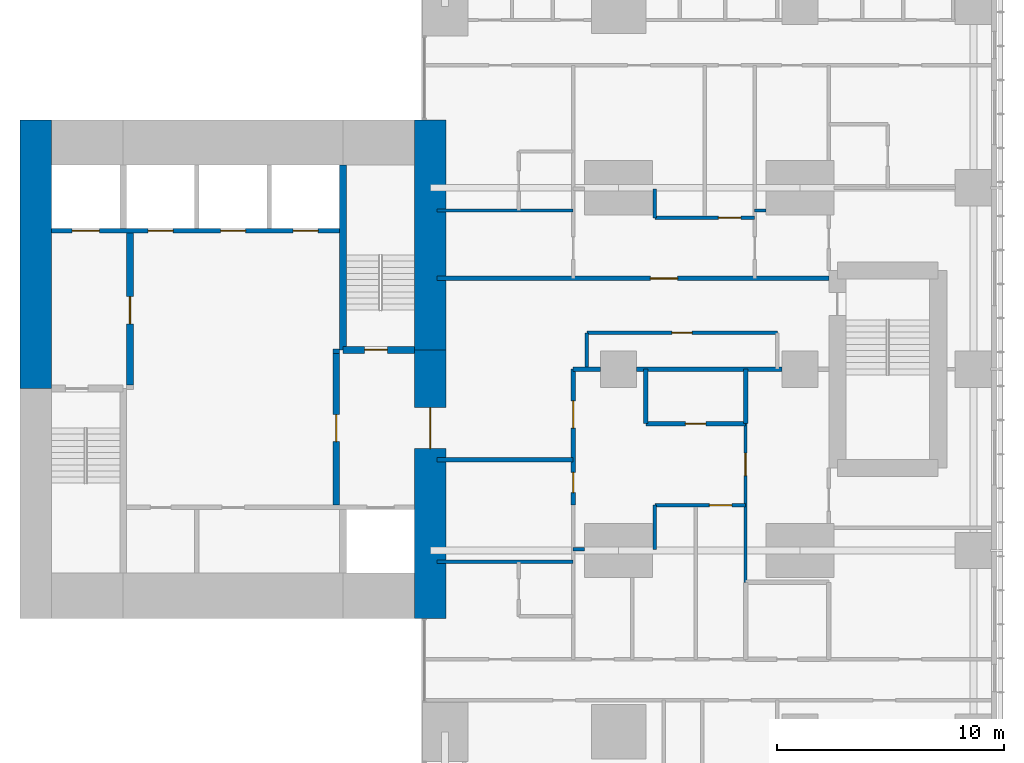
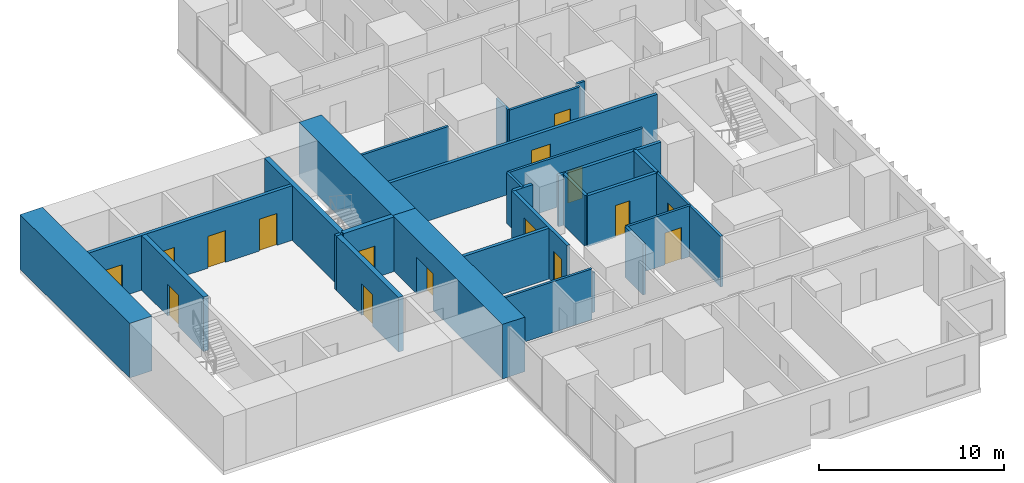
# One storey, part 8 of 12: 28 walls, 16 doors, 16 openings.
"""IFC4 building model written with IfcOpenShell, lengths in metres."""

from ifc_helpers import new_model, si_unit, direction, frame, frame_2d, origin, place, context, subcontext, project, spatial, rectangle, extrude, material, layer, layer_set, type_object, element, fill, save


model = new_model("IFC4")

# Units and contexts
model_context = context("Model", 3, precision=1e-05, world=origin(), true_north=direction((0.0, 1.0)))
body_context = subcontext(model_context, "Body", "Model", "MODEL_VIEW")
ifc_project = project(units=[si_unit("LENGTHUNIT", "METRE"), si_unit("AREAUNIT", "SQUARE_METRE"), si_unit("VOLUMEUNIT", "CUBIC_METRE"), si_unit("PLANEANGLEUNIT", "RADIAN"), si_unit("MASSUNIT", "GRAM", prefix="KILO")], contexts=[model_context])

# Site, building, storey
site_placement = place(None, origin())
site = spatial("IfcSite", under=ifc_project, at=site_placement, CompositionType="ELEMENT")
building_placement = place(site_placement, origin())
building = spatial("IfcBuilding", under=site, at=building_placement, Name="Cleftline Residences", CompositionType="ELEMENT")
storey_placement = place(building_placement, frame((0.0, 0.0, 252.0)))
storey = spatial("IfcBuildingStorey", under=building, at=storey_placement, Name="L66", CompositionType="ELEMENT", Elevation=252.0)

# Wall
ifc_material_1 = material(Name="Concrete B70", Category="concrete")
ifc_layer_1 = layer(ifc_material_1, 1.39990234375)
ifc_layer_set_1 = layer_set([ifc_layer_1], Name="CORE WALL 1400")
wall_type_1 = type_object("IfcWallType", Name="CORE WALL 1400", PredefinedType="SHEAR", material=ifc_layer_set_1)
wall_1_placement = place(storey_placement, frame((24.300048828125, 23.14990234375, 0.0), z_axis=(0.0, 0.0, 1.0), x_axis=(0.0, 1.0, 0.0)))
element("IfcWall", 1, at=wall_1_placement, inside=storey, type_object=wall_type_1, Name="Core wall W", PredefinedType="SHEAR", context=body_context, shape_type="SweptSolid", body=[
    extrude(rectangle(XDim=11.85009765625, YDim=1.39990234375, at=frame_2d((5.925048828125, 0.0))), origin(), (0.0, 0.0, 1.0), 3.60009765625),
])

# Wall, opening, door
wall_2_placement = place(storey_placement, frame((41.699951171875, 13.0, 0.0), z_axis=(0.0, 0.0, 1.0), x_axis=(0.0, 1.0, 0.0)))
wall_2 = element("IfcWall", 2, at=wall_2_placement, inside=storey, type_object=wall_type_1, Name="Core wall E", PredefinedType="SHEAR", context=body_context, shape_type="SweptSolid", body=[
    extrude(rectangle(XDim=11.85009765625, YDim=1.39990234375, at=frame_2d((5.925048828125, 0.0))), origin(), (0.0, 0.0, 1.0), 3.60009765625),
])
opening_1_placement = place(wall_2_placement, frame((7.5, 0.0, 0.0)))
opening_1 = element("IfcOpeningElement", 3, at=opening_1_placement, cuts=wall_2, Name="Opening D7", PredefinedType="OPENING", context=body_context, shape_type="SweptSolid", body=[
    extrude(rectangle(XDim=1.800048828125, YDim=2.39990234375, at=frame_2d((0.89990234375, 1.199951171875))), frame((0.0, 0.7099609375, 0.0), z_axis=(0.0, -1.0, 0.0), x_axis=(1.0, 0.0, 0.0)), (0.0, 0.0, 1.0), 1.419921875),
])
ifc_material_2 = material(Name="Steel", Category="steel")
door_type_1 = type_object("IfcDoorType", Name="WING DOOR 1800X2400", OperationType="DOUBLE_DOOR_DOUBLE_SWING", PredefinedType="DOOR", material=ifc_material_2)
door_1_placement = place(opening_1_placement, origin())
door_1 = element("IfcDoor", 4, at=door_1_placement, inside=storey, type_object=door_type_1, Name="East wing door", OperationType="DOUBLE_DOOR_DOUBLE_SWING", OverallHeight=2.39990234375, OverallWidth=1.800048828125, PredefinedType="DOOR", context=body_context, shape_type="SweptSolid", body=[
    extrude(rectangle(XDim=1.800048828125, YDim=2.39990234375, at=frame_2d((0.89990234375, 1.199951171875))), frame((0.0, 0.02490234375, 0.0), z_axis=(0.0, -1.0, 0.0), x_axis=(1.0, 0.0, 0.0)), (0.0, 0.0, 1.0), 0.050048828125),
])
fill(opening_1, door_1)

# Walls
wall_3_placement = place(storey_placement, frame((41.699951171875, 24.85009765625, 0.0), z_axis=(0.0, 0.0, 1.0), x_axis=(0.0, 1.0, 0.0)))
element("IfcWall", 5, at=wall_3_placement, inside=storey, type_object=wall_type_1, Name="Core wall E1", PredefinedType="SHEAR", context=body_context, shape_type="SweptSolid", body=[
    extrude(rectangle(XDim=10.14990234375, YDim=1.39990234375, at=frame_2d((5.074951171875, 0.0))), origin(), (0.0, 0.0, 1.0), 3.60009765625),
])
ifc_material_3 = material(Name="Concrete B70", Category="concrete")
ifc_layer_2 = layer(ifc_material_3, 0.300048828125)
ifc_layer_set_2 = layer_set([ifc_layer_2], Name="CORE WALL 300")
wall_type_2 = type_object("IfcWallType", Name="CORE WALL 300", PredefinedType="SHEAR", material=ifc_layer_set_2)
wall_4_placement = place(storey_placement, frame((37.85009765625, 24.85009765625, 0.0), z_axis=(0.0, 0.0, 1.0), x_axis=(0.0, 1.0, 0.0)))
element("IfcWall", 6, at=wall_4_placement, inside=storey, type_object=wall_type_2, Name="Core wall SB-W", PredefinedType="SHEAR", context=body_context, shape_type="SweptSolid", body=[
    extrude(rectangle(XDim=8.14990234375, YDim=0.300048828125, at=frame_2d((4.074951171875, 0.0))), origin(), (0.0, 0.0, 1.0), 3.60009765625),
])

# Wall, opening, door
wall_5_placement = place(storey_placement, frame((37.85009765625, 24.85009765625, 0.0), z_axis=(0.0, 0.0, 1.0), x_axis=(1.0, 0.0, 0.0)))
wall_5 = element("IfcWall", 7, at=wall_5_placement, inside=storey, type_object=wall_type_2, Name="Core wall SB-S", PredefinedType="SHEAR", context=body_context, shape_type="SweptSolid", body=[
    extrude(rectangle(XDim=3.14990234375, YDim=0.300048828125, at=frame_2d((1.574951171875, 0.0))), origin(), (0.0, 0.0, 1.0), 3.60009765625),
])
opening_2_placement = place(wall_5_placement, frame((0.949951171875, 0.0, 0.0)))
opening_2 = element("IfcOpeningElement", 8, at=opening_2_placement, cuts=wall_5, Name="Opening D5", PredefinedType="OPENING", context=body_context, shape_type="SweptSolid", body=[
    extrude(rectangle(XDim=1.0, YDim=2.10009765625, at=frame_2d((0.5, 1.050048828125))), frame((0.0, 0.159912109375, 0.0), z_axis=(0.0, -1.0, 0.0), x_axis=(1.0, 0.0, 0.0)), (0.0, 0.0, 1.0), 0.320068359375),
])
ifc_material_4 = material(Name="Steel", Category="steel")
door_type_2 = type_object("IfcDoorType", Name="STAIR DOOR 1000X2100", OperationType="SINGLE_SWING_LEFT", PredefinedType="DOOR", material=ifc_material_4)
door_2_placement = place(opening_2_placement, origin())
door_2 = element("IfcDoor", 9, at=door_2_placement, inside=storey, type_object=door_type_2, Name="Stair B door", OperationType="SINGLE_SWING_RIGHT", OverallHeight=2.10009765625, OverallWidth=1.0, PredefinedType="DOOR", context=body_context, shape_type="SweptSolid", body=[
    extrude(rectangle(XDim=1.0, YDim=2.10009765625, at=frame_2d((0.5, 1.050048828125))), frame((0.0, 0.02490234375, 0.0), z_axis=(0.0, -1.0, 0.0), x_axis=(1.0, 0.0, 0.0)), (0.0, 0.0, 1.0), 0.050048828125),
])
fill(opening_2, door_2)

# Wall
ifc_material_5 = material(Name="Concrete blockwork, fire rated", Category="masonry")
ifc_layer_3 = layer(ifc_material_5, 0.199951171875)
ifc_layer_set_3 = layer_set([ifc_layer_3], Name="FIRE WALL 200")
wall_type_3 = type_object("IfcWallType", Name="FIRE WALL 200", PredefinedType="PARTITIONING", material=ifc_layer_set_3)
wall_6_placement = place(storey_placement, frame((42.0, 20.0, 0.0), z_axis=(0.0, 0.0, 1.0), x_axis=(1.0, 0.0, 0.0)))
element("IfcWall", 10, at=wall_6_placement, inside=storey, type_object=wall_type_3, Name="Fire separating wall", PredefinedType="PARTITIONING", context=body_context, shape_type="SweptSolid", body=[
    extrude(rectangle(XDim=6.0, YDim=0.199951171875, at=frame_2d((3.0, 0.0))), origin(), (0.0, 0.0, 1.0), 3.35009765625),
])

# Wall, opening, door
wall_7_placement = place(storey_placement, frame((51.199951171875, 21.60009765625, 0.0), z_axis=(0.0, 0.0, 1.0), x_axis=(1.0, 0.0, 0.0)))
wall_7 = element("IfcWall", 11, at=wall_7_placement, inside=storey, type_object=wall_type_3, Name="Fire separating wall", PredefinedType="PARTITIONING", context=body_context, shape_type="SweptSolid", body=[
    extrude(rectangle(XDim=4.400146484375, YDim=0.199951171875, at=frame_2d((2.2001953125, 0.0))), origin(), (0.0, 0.0, 1.0), 3.35009765625),
])
opening_3_placement = place(wall_7_placement, frame((1.75, 0.0, 0.0)))
opening_3 = element("IfcOpeningElement", 12, at=opening_3_placement, cuts=wall_7, Name="Opening D1F30", PredefinedType="OPENING", context=body_context, shape_type="SweptSolid", body=[
    extrude(rectangle(XDim=0.89990234375, YDim=2.10009765625, at=frame_2d((0.449951171875, 1.050048828125))), frame((0.0, 0.10986328125, 0.0), z_axis=(0.0, -1.0, 0.0), x_axis=(1.0, 0.0, 0.0)), (0.0, 0.0, 1.0), 0.219970703125),
])
ifc_material_6 = material(Name="Timber veneer on solid core", Category="wood")
door_type_3 = type_object("IfcDoorType", Name="DOOR 900X2100 EI 30", OperationType="SINGLE_SWING_LEFT", PredefinedType="DOOR", material=ifc_material_6)
door_3_placement = place(opening_3_placement, origin())
door_3 = element("IfcDoor", 13, at=door_3_placement, inside=storey, type_object=door_type_3, Name="Door to cloakroom wc", OperationType="SINGLE_SWING_LEFT", OverallHeight=2.10009765625, OverallWidth=0.89990234375, PredefinedType="DOOR", context=body_context, shape_type="SweptSolid", body=[
    extrude(rectangle(XDim=0.89990234375, YDim=2.10009765625, at=frame_2d((0.449951171875, 1.050048828125))), frame((0.0, 0.02490234375, 0.0), z_axis=(0.0, -1.0, 0.0), x_axis=(1.0, 0.0, 0.0)), (0.0, 0.0, 1.0), 0.050048828125),
])
fill(opening_3, door_3)

# Walls
wall_8_placement = place(storey_placement, frame((48.0, 24.0, 0.0), z_axis=(0.0, 0.0, 1.0), x_axis=(1.0, 0.0, 0.0)))
element("IfcWall", 14, at=wall_8_placement, inside=storey, type_object=wall_type_3, Name="Fire separating wall", PredefinedType="PARTITIONING", context=body_context, shape_type="SweptSolid", body=[
    extrude(rectangle(XDim=1.199951171875, YDim=0.199951171875, at=frame_2d((0.60009765625, 0.0))), origin(), (0.0, 0.0, 1.0), 3.35009765625),
])
wall_9_placement = place(storey_placement, frame((50.800048828125, 24.0, 0.0), z_axis=(0.0, 0.0, 1.0), x_axis=(1.0, 0.0, 0.0)))
element("IfcWall", 15, at=wall_9_placement, inside=storey, type_object=wall_type_3, Name="Fire separating wall", PredefinedType="PARTITIONING", context=body_context, shape_type="SweptSolid", body=[
    extrude(rectangle(XDim=6.39990234375, YDim=0.199951171875, at=frame_2d((3.199951171875, 0.0))), origin(), (0.0, 0.0, 1.0), 3.35009765625),
])

# Wall, opening, door
wall_10_placement = place(storey_placement, frame((42.0, 28.0, 0.0), z_axis=(0.0, 0.0, 1.0), x_axis=(1.0, 0.0, 0.0)))
wall_10 = element("IfcWall", 16, at=wall_10_placement, inside=storey, type_object=wall_type_3, Name="Fire separating wall", PredefinedType="PARTITIONING", context=body_context, shape_type="SweptSolid", body=[
    extrude(rectangle(XDim=17.27490234375, YDim=0.199951171875, at=frame_2d((8.637451171875, 0.0))), origin(), (0.0, 0.0, 1.0), 3.35009765625),
])
opening_4_placement = place(wall_10_placement, frame((9.39990234375, 0.0, 0.0)))
opening_4 = element("IfcOpeningElement", 17, at=opening_4_placement, cuts=wall_10, Name="Opening D4", PredefinedType="OPENING", context=body_context, shape_type="SweptSolid", body=[
    extrude(rectangle(XDim=1.199951171875, YDim=2.39990234375, at=frame_2d((0.60009765625, 1.199951171875))), frame((0.0, 0.10986328125, 0.0), z_axis=(0.0, -1.0, 0.0), x_axis=(1.0, 0.0, 0.0)), (0.0, 0.0, 1.0), 0.219970703125),
])
ifc_material_7 = material(Name="Timber veneer on solid core", Category="wood")
door_type_4 = type_object("IfcDoorType", Name="APARTMENT ENTRANCE DOOR 1200X2400", OperationType="SINGLE_SWING_RIGHT", PredefinedType="DOOR", material=ifc_material_7)
door_4_placement = place(opening_4_placement, origin())
door_4 = element("IfcDoor", 18, at=door_4_placement, inside=storey, type_object=door_type_4, Name="Door to residence entrance (gallery)", OperationType="SINGLE_SWING_LEFT", OverallHeight=2.39990234375, OverallWidth=1.199951171875, PredefinedType="DOOR", context=body_context, shape_type="SweptSolid", body=[
    extrude(rectangle(XDim=1.199951171875, YDim=2.39990234375, at=frame_2d((0.60009765625, 1.199951171875))), frame((0.0, 0.02490234375, 0.0), z_axis=(0.0, -1.0, 0.0), x_axis=(1.0, 0.0, 0.0)), (0.0, 0.0, 1.0), 0.050048828125),
])
fill(opening_4, door_4)

# Wall, openings, doors
wall_11_placement = place(storey_placement, frame((48.0, 18.0, 0.0), z_axis=(0.0, 0.0, 1.0), x_axis=(0.0, 1.0, 0.0)))
wall_11 = element("IfcWall", 19, at=wall_11_placement, inside=storey, type_object=wall_type_3, Name="Fire separating wall", PredefinedType="PARTITIONING", context=body_context, shape_type="SweptSolid", body=[
    extrude(rectangle(XDim=6.0, YDim=0.199951171875, at=frame_2d((3.0, 0.0))), origin(), (0.0, 0.0, 1.0), 3.35009765625),
])
opening_5_placement = place(wall_11_placement, frame((3.39990234375, 0.0, 0.0)))
opening_5 = element("IfcOpeningElement", 20, at=opening_5_placement, cuts=wall_11, Name="Opening D4", PredefinedType="OPENING", context=body_context, shape_type="SweptSolid", body=[
    extrude(rectangle(XDim=1.199951171875, YDim=2.39990234375, at=frame_2d((0.60009765625, 1.199951171875))), frame((0.0, 0.10986328125, 0.0), z_axis=(0.0, -1.0, 0.0), x_axis=(1.0, 0.0, 0.0)), (0.0, 0.0, 1.0), 0.219970703125),
])
opening_6_placement = place(wall_11_placement, frame((0.550048828125, 0.0, 0.0)))
opening_6 = element("IfcOpeningElement", 21, at=opening_6_placement, cuts=wall_11, Name="Opening D1F30", PredefinedType="OPENING", context=body_context, shape_type="SweptSolid", body=[
    extrude(rectangle(XDim=0.89990234375, YDim=2.10009765625, at=frame_2d((0.449951171875, 1.050048828125))), frame((0.0, 0.10986328125, 0.0), z_axis=(0.0, -1.0, 0.0), x_axis=(1.0, 0.0, 0.0)), (0.0, 0.0, 1.0), 0.219970703125),
])
door_5_placement = place(opening_5_placement, origin())
door_5 = element("IfcDoor", 22, at=door_5_placement, inside=storey, type_object=door_type_4, Name="Door to residence entrance foyer", OperationType="SINGLE_SWING_LEFT", OverallHeight=2.39990234375, OverallWidth=1.199951171875, PredefinedType="DOOR", context=body_context, shape_type="SweptSolid", body=[
    extrude(rectangle(XDim=1.199951171875, YDim=2.39990234375, at=frame_2d((0.60009765625, 1.199951171875))), frame((0.0, 0.02490234375, 0.0), z_axis=(0.0, -1.0, 0.0), x_axis=(1.0, 0.0, 0.0)), (0.0, 0.0, 1.0), 0.050048828125),
])
fill(opening_5, door_5)
door_6_placement = place(opening_6_placement, origin())
door_6 = element("IfcDoor", 23, at=door_6_placement, inside=storey, type_object=door_type_3, Name="Door to drying loggia", OperationType="SINGLE_SWING_RIGHT", OverallHeight=2.10009765625, OverallWidth=0.89990234375, PredefinedType="DOOR", context=body_context, shape_type="SweptSolid", body=[
    extrude(rectangle(XDim=0.89990234375, YDim=2.10009765625, at=frame_2d((0.449951171875, 1.050048828125))), frame((0.0, 0.02490234375, 0.0), z_axis=(0.0, -1.0, 0.0), x_axis=(1.0, 0.0, 0.0)), (0.0, 0.0, 1.0), 0.050048828125),
])
fill(opening_6, door_6)

# Walls
for number, where, z_axis, x_axis, name in (
    (24, (51.199951171875, 21.60009765625, 0.0), (0.0, 0.0, 1.0), (0.0, 1.0, 0.0), "Fire separating wall"),
    (25, (55.60009765625, 21.60009765625, 0.0), (0.0, 0.0, 1.0), (0.0, 1.0, 0.0), "Fire separating wall"),
):
    element("IfcWall", number, at=place(storey_placement, frame(where, z_axis=z_axis, x_axis=x_axis)), inside=storey, type_object=wall_type_3, Name=name, PredefinedType="PARTITIONING", context=body_context, shape_type="SweptSolid", body=[
        extrude(rectangle(XDim=2.39990234375, YDim=0.199951171875, at=frame_2d((1.199951171875, 0.0))), origin(), (0.0, 0.0, 1.0), 3.35009765625),
    ])
wall_12_placement = place(storey_placement, frame((37.39990234375, 24.800048828125, 0.0), z_axis=(0.0, 0.0, 1.0), x_axis=(1.0, 0.0, 0.0)))
element("IfcWall", 26, at=wall_12_placement, inside=storey, type_object=wall_type_3, Name="Fire separating wall", PredefinedType="PARTITIONING", context=body_context, shape_type="SweptSolid", body=[
    extrude(rectangle(XDim=0.300048828125, YDim=0.199951171875, at=frame_2d((0.14990234375, 0.0))), origin(), (0.0, 0.0, 1.0), 3.60009765625),
])
ifc_material_8 = material(Name="Gypsum board on steel studs", Category="steel")
ifc_layer_4 = layer(ifc_material_8, 0.14990234375)
ifc_layer_set_4 = layer_set([ifc_layer_4], Name="PARTITION 150")
wall_type_4 = type_object("IfcWallType", Name="PARTITION 150", PredefinedType="PARTITIONING", material=ifc_layer_set_4)
wall_13_placement = place(storey_placement, frame((42.0, 15.5, 0.0), z_axis=(0.0, 0.0, 1.0), x_axis=(1.0, 0.0, 0.0)))
element("IfcWall", 27, at=wall_13_placement, inside=storey, type_object=wall_type_4, Name="Partition", PredefinedType="PARTITIONING", context=body_context, shape_type="SweptSolid", body=[
    extrude(rectangle(XDim=6.0, YDim=0.14990234375, at=frame_2d((3.0, 0.0))), origin(), (0.0, 0.0, 1.0), 3.35009765625),
])
wall_14_placement = place(storey_placement, frame((48.0, 16.050048828125, 0.0), z_axis=(0.0, 0.0, 1.0), x_axis=(1.0, 0.0, 0.0)))
element("IfcWall", 28, at=wall_14_placement, inside=storey, type_object=wall_type_4, Name="Partition", PredefinedType="PARTITIONING", context=body_context, shape_type="SweptSolid", body=[
    extrude(rectangle(XDim=0.5, YDim=0.14990234375, at=frame_2d((0.25, 0.0))), origin(), (0.0, 0.0, 1.0), 2.634033203125),
])

# Wall, opening, door
wall_15_placement = place(storey_placement, frame((51.60009765625, 18.0, 0.0), z_axis=(0.0, 0.0, 1.0), x_axis=(1.0, 0.0, 0.0)))
wall_15 = element("IfcWall", 29, at=wall_15_placement, inside=storey, type_object=wall_type_4, Name="Partition", PredefinedType="PARTITIONING", context=body_context, shape_type="SweptSolid", body=[
    extrude(rectangle(XDim=4.0, YDim=0.14990234375, at=frame_2d((2.0, 0.0))), origin(), (0.0, 0.0, 1.0), 3.35009765625),
])
opening_7_placement = place(wall_15_placement, frame((2.39990234375, 0.0, 0.0)))
opening_7 = element("IfcOpeningElement", 30, at=opening_7_placement, cuts=wall_15, Name="Opening D2", PredefinedType="OPENING", context=body_context, shape_type="SweptSolid", body=[
    extrude(rectangle(XDim=1.0, YDim=2.10009765625, at=frame_2d((0.5, 1.050048828125))), frame((0.0, 0.0849609375, 0.0), z_axis=(0.0, -1.0, 0.0), x_axis=(1.0, 0.0, 0.0)), (0.0, 0.0, 1.0), 0.169921875),
])
ifc_material_9 = material(Name="Timber veneer on solid core", Category="wood")
door_type_5 = type_object("IfcDoorType", Name="DOOR 1000X2100", OperationType="SINGLE_SWING_LEFT", PredefinedType="DOOR", material=ifc_material_9)
door_7_placement = place(opening_7_placement, origin())
door_7 = element("IfcDoor", 31, at=door_7_placement, inside=storey, type_object=door_type_5, Name="Door to residence passage", OperationType="SINGLE_SWING_LEFT", OverallHeight=2.10009765625, OverallWidth=1.0, PredefinedType="DOOR", context=body_context, shape_type="SweptSolid", body=[
    extrude(rectangle(XDim=1.0, YDim=2.10009765625, at=frame_2d((0.5, 1.050048828125))), frame((0.0, 0.02490234375, 0.0), z_axis=(0.0, -1.0, 0.0), x_axis=(1.0, 0.0, 0.0)), (0.0, 0.0, 1.0), 0.050048828125),
])
fill(opening_7, door_7)

wall_16_placement = place(storey_placement, frame((48.60009765625, 25.60009765625, 0.0), z_axis=(0.0, 0.0, 1.0), x_axis=(1.0, 0.0, 0.0)))
wall_16 = element("IfcWall", 32, at=wall_16_placement, inside=storey, type_object=wall_type_4, Name="Partition", PredefinedType="PARTITIONING", context=body_context, shape_type="SweptSolid", body=[
    extrude(rectangle(XDim=8.39990234375, YDim=0.14990234375, at=frame_2d((4.199951171875, 0.0))), origin(), (0.0, 0.0, 1.0), 3.35009765625),
])
opening_8_placement = place(wall_16_placement, frame((3.75, 0.0, 0.0)))
opening_8 = element("IfcOpeningElement", 33, at=opening_8_placement, cuts=wall_16, Name="Opening D1", PredefinedType="OPENING", context=body_context, shape_type="SweptSolid", body=[
    extrude(rectangle(XDim=0.89990234375, YDim=2.10009765625, at=frame_2d((0.449951171875, 1.050048828125))), frame((0.0, 0.0849609375, 0.0), z_axis=(0.0, -1.0, 0.0), x_axis=(1.0, 0.0, 0.0)), (0.0, 0.0, 1.0), 0.169921875),
])
ifc_material_10 = material(Name="Timber veneer on solid core", Category="wood")
door_type_6 = type_object("IfcDoorType", Name="DOOR 900X2100", OperationType="SINGLE_SWING_LEFT", PredefinedType="DOOR", material=ifc_material_10)
door_8_placement = place(opening_8_placement, origin())
door_8 = element("IfcDoor", 34, at=door_8_placement, inside=storey, type_object=door_type_6, Name="Door to residents' locker room", OperationType="SINGLE_SWING_LEFT", OverallHeight=2.10009765625, OverallWidth=0.89990234375, PredefinedType="DOOR", context=body_context, shape_type="SweptSolid", body=[
    extrude(rectangle(XDim=0.89990234375, YDim=2.10009765625, at=frame_2d((0.449951171875, 1.050048828125))), frame((0.0, 0.02490234375, 0.0), z_axis=(0.0, -1.0, 0.0), x_axis=(1.0, 0.0, 0.0)), (0.0, 0.0, 1.0), 0.050048828125),
])
fill(opening_8, door_8)

wall_17_placement = place(storey_placement, frame((51.60009765625, 30.675048828125, 0.0), z_axis=(0.0, 0.0, 1.0), x_axis=(1.0, 0.0, 0.0)))
wall_17 = element("IfcWall", 35, at=wall_17_placement, inside=storey, type_object=wall_type_4, Name="Partition", PredefinedType="PARTITIONING", context=body_context, shape_type="SweptSolid", body=[
    extrude(rectangle(XDim=4.39990234375, YDim=0.14990234375, at=frame_2d((2.199951171875, 0.0))), origin(), (0.0, 0.0, 1.0), 3.35009765625),
])
opening_9_placement = place(wall_17_placement, frame((2.800048828125, 0.0, 0.0)))
opening_9 = element("IfcOpeningElement", 36, at=opening_9_placement, cuts=wall_17, Name="Opening D2", PredefinedType="OPENING", context=body_context, shape_type="SweptSolid", body=[
    extrude(rectangle(XDim=1.0, YDim=2.10009765625, at=frame_2d((0.5, 1.050048828125))), frame((0.0, 0.0849609375, 0.0), z_axis=(0.0, -1.0, 0.0), x_axis=(1.0, 0.0, 0.0)), (0.0, 0.0, 1.0), 0.169921875),
])
door_9_placement = place(opening_9_placement, origin())
door_9 = element("IfcDoor", 37, at=door_9_placement, inside=storey, type_object=door_type_5, Name="Door to residence passage", OperationType="SINGLE_SWING_LEFT", OverallHeight=2.10009765625, OverallWidth=1.0, PredefinedType="DOOR", context=body_context, shape_type="SweptSolid", body=[
    extrude(rectangle(XDim=1.0, YDim=2.10009765625, at=frame_2d((0.5, 1.050048828125))), frame((0.0, 0.02490234375, 0.0), z_axis=(0.0, -1.0, 0.0), x_axis=(1.0, 0.0, 0.0)), (0.0, 0.0, 1.0), 0.050048828125),
])
fill(opening_9, door_9)

# Walls
wall_18_placement = place(storey_placement, frame((42.0, 31.0, 0.0), z_axis=(0.0, 0.0, 1.0), x_axis=(1.0, 0.0, 0.0)))
element("IfcWall", 38, at=wall_18_placement, inside=storey, type_object=wall_type_4, Name="Partition", PredefinedType="PARTITIONING", context=body_context, shape_type="SweptSolid", body=[
    extrude(rectangle(XDim=6.0, YDim=0.14990234375, at=frame_2d((3.0, 0.0))), origin(), (0.0, 0.0, 1.0), 3.35009765625),
])
wall_19_placement = place(storey_placement, frame((56.0, 31.0, 0.0), z_axis=(0.0, 0.0, 1.0), x_axis=(1.0, 0.0, 0.0)))
element("IfcWall", 39, at=wall_19_placement, inside=storey, type_object=wall_type_4, Name="Partition", PredefinedType="PARTITIONING", context=body_context, shape_type="SweptSolid", body=[
    extrude(rectangle(XDim=0.5, YDim=0.14990234375, at=frame_2d((0.25, 0.0))), origin(), (0.0, 0.0, 1.0), 3.35009765625),
])
wall_20_placement = place(storey_placement, frame((48.60009765625, 24.0, 0.0), z_axis=(0.0, 0.0, 1.0), x_axis=(0.0, 1.0, 0.0)))
element("IfcWall", 40, at=wall_20_placement, inside=storey, type_object=wall_type_4, Name="Partition", PredefinedType="PARTITIONING", context=body_context, shape_type="SweptSolid", body=[
    extrude(rectangle(XDim=1.60009765625, YDim=0.14990234375, at=frame_2d((0.800048828125, 0.0))), origin(), (0.0, 0.0, 1.0), 3.35009765625),
])
wall_21_placement = place(storey_placement, frame((51.60009765625, 16.050048828125, 0.0), z_axis=(0.0, 0.0, 1.0), x_axis=(0.0, 1.0, 0.0)))
element("IfcWall", 41, at=wall_21_placement, inside=storey, type_object=wall_type_4, Name="Partition", PredefinedType="PARTITIONING", context=body_context, shape_type="SweptSolid", body=[
    extrude(rectangle(XDim=1.949951171875, YDim=0.14990234375, at=frame_2d((0.97509765625, 0.0))), origin(), (0.0, 0.0, 1.0), 3.35009765625),
])
wall_22_placement = place(storey_placement, frame((51.60009765625, 30.675048828125, 0.0), z_axis=(0.0, 0.0, 1.0), x_axis=(0.0, 1.0, 0.0)))
element("IfcWall", 42, at=wall_22_placement, inside=storey, type_object=wall_type_4, Name="Partition", PredefinedType="PARTITIONING", context=body_context, shape_type="SweptSolid", body=[
    extrude(rectangle(XDim=1.27490234375, YDim=0.14990234375, at=frame_2d((0.637451171875, 0.0))), origin(), (0.0, 0.0, 1.0), 3.35009765625),
])

# Wall, opening, door
wall_23_placement = place(storey_placement, frame((55.60009765625, 14.60009765625, 0.0), z_axis=(0.0, 0.0, 1.0), x_axis=(0.0, 1.0, 0.0)))
wall_23 = element("IfcWall", 43, at=wall_23_placement, inside=storey, type_object=wall_type_4, Name="Partition", PredefinedType="PARTITIONING", context=body_context, shape_type="SweptSolid", body=[
    extrude(rectangle(XDim=7.0, YDim=0.14990234375, at=frame_2d((3.5, 0.0))), origin(), (0.0, 0.0, 1.0), 3.35009765625),
])
opening_10_placement = place(wall_23_placement, frame((4.699951171875, 0.0, 0.0)))
opening_10 = element("IfcOpeningElement", 44, at=opening_10_placement, cuts=wall_23, Name="Opening D2F30", PredefinedType="OPENING", context=body_context, shape_type="SweptSolid", body=[
    extrude(rectangle(XDim=1.0, YDim=2.10009765625, at=frame_2d((0.5, 1.050048828125))), frame((0.0, 0.0849609375, 0.0), z_axis=(0.0, -1.0, 0.0), x_axis=(1.0, 0.0, 0.0)), (0.0, 0.0, 1.0), 0.169921875),
])
ifc_material_11 = material(Name="Timber veneer on solid core", Category="wood")
door_type_7 = type_object("IfcDoorType", Name="DOOR 1000X2100 EI 30", OperationType="SINGLE_SWING_LEFT", PredefinedType="DOOR", material=ifc_material_11)
door_10_placement = place(opening_10_placement, origin())
door_10 = element("IfcDoor", 45, at=door_10_placement, inside=storey, type_object=door_type_7, Name="Door to residence lobby", OperationType="SINGLE_SWING_LEFT", OverallHeight=2.10009765625, OverallWidth=1.0, PredefinedType="DOOR", context=body_context, shape_type="SweptSolid", body=[
    extrude(rectangle(XDim=1.0, YDim=2.10009765625, at=frame_2d((0.5, 1.050048828125))), frame((0.0, 0.02490234375, 0.0), z_axis=(0.0, -1.0, 0.0), x_axis=(1.0, 0.0, 0.0)), (0.0, 0.0, 1.0), 0.050048828125),
])
fill(opening_10, door_10)

# Wall, openings, doors
ifc_material_12 = material(Name="Concrete blockwork, fire rated", Category="masonry")
ifc_layer_5 = layer(ifc_material_12, 0.199951171875)
ifc_layer_set_5 = layer_set([ifc_layer_5], Name="SHAFT WALL 200")
wall_type_5 = type_object("IfcWallType", Name="SHAFT WALL 200", PredefinedType="PARTITIONING", material=ifc_layer_set_5)
wall_24_placement = place(storey_placement, frame((25.0, 30.10009765625, 0.0), z_axis=(0.0, 0.0, 1.0), x_axis=(1.0, 0.0, 0.0)))
wall_24 = element("IfcWall", 46, at=wall_24_placement, inside=storey, type_object=wall_type_5, Name="Lift shaft wall", PredefinedType="PARTITIONING", context=body_context, shape_type="SweptSolid", body=[
    extrude(rectangle(XDim=12.699951171875, YDim=0.199951171875, at=frame_2d((6.35009765625, 0.0))), origin(), (0.0, 0.0, 1.0), 3.60009765625),
])
opening_11_placement = place(wall_24_placement, frame((4.25, 0.0, 0.0)))
opening_11 = element("IfcOpeningElement", 47, at=opening_11_placement, cuts=wall_24, Name="Opening LD1", PredefinedType="OPENING", context=body_context, shape_type="SweptSolid", body=[
    extrude(rectangle(XDim=1.10009765625, YDim=2.10009765625, at=frame_2d((0.550048828125, 1.050048828125))), frame((0.0, 0.10986328125, 0.0), z_axis=(0.0, -1.0, 0.0), x_axis=(1.0, 0.0, 0.0)), (0.0, 0.0, 1.0), 0.219970703125),
])
opening_12_placement = place(wall_24_placement, frame((7.449951171875, 0.0, 0.0)))
opening_12 = element("IfcOpeningElement", 48, at=opening_12_placement, cuts=wall_24, Name="Opening LD1", PredefinedType="OPENING", context=body_context, shape_type="SweptSolid", body=[
    extrude(rectangle(XDim=1.10009765625, YDim=2.10009765625, at=frame_2d((0.550048828125, 1.050048828125))), frame((0.0, 0.10986328125, 0.0), z_axis=(0.0, -1.0, 0.0), x_axis=(1.0, 0.0, 0.0)), (0.0, 0.0, 1.0), 0.219970703125),
])
opening_13_placement = place(wall_24_placement, frame((10.64990234375, 0.0, 0.0)))
opening_13 = element("IfcOpeningElement", 49, at=opening_13_placement, cuts=wall_24, Name="Opening LD1", PredefinedType="OPENING", context=body_context, shape_type="SweptSolid", body=[
    extrude(rectangle(XDim=1.10009765625, YDim=2.10009765625, at=frame_2d((0.550048828125, 1.050048828125))), frame((0.0, 0.10986328125, 0.0), z_axis=(0.0, -1.0, 0.0), x_axis=(1.0, 0.0, 0.0)), (0.0, 0.0, 1.0), 0.219970703125),
])
opening_14_placement = place(wall_24_placement, frame((0.89990234375, 0.0, 0.0)))
opening_14 = element("IfcOpeningElement", 50, at=opening_14_placement, cuts=wall_24, Name="Opening LD2", PredefinedType="OPENING", context=body_context, shape_type="SweptSolid", body=[
    extrude(rectangle(XDim=1.199951171875, YDim=2.10009765625, at=frame_2d((0.60009765625, 1.050048828125))), frame((0.0, 0.10986328125, 0.0), z_axis=(0.0, -1.0, 0.0), x_axis=(1.0, 0.0, 0.0)), (0.0, 0.0, 1.0), 0.219970703125),
])
ifc_material_13 = material(Name="Steel", Category="steel")
door_type_8 = type_object("IfcDoorType", Name="FIREFIGHTING LIFT LANDING DOOR 1200X2100", OperationType="SLIDING_TO_LEFT", PredefinedType="DOOR", material=ifc_material_13)
door_11_placement = place(opening_14_placement, origin())
door_11 = element("IfcDoor", 51, at=door_11_placement, inside=storey, type_object=door_type_8, Name="Lift FL1 landing door", OperationType="SLIDING_TO_LEFT", OverallHeight=2.10009765625, OverallWidth=1.199951171875, PredefinedType="DOOR", context=body_context, shape_type="SweptSolid", body=[
    extrude(rectangle(XDim=1.199951171875, YDim=2.10009765625, at=frame_2d((0.60009765625, 1.050048828125))), frame((0.0, 0.02490234375, 0.0), z_axis=(0.0, -1.0, 0.0), x_axis=(1.0, 0.0, 0.0)), (0.0, 0.0, 1.0), 0.050048828125),
])
fill(opening_14, door_11)
ifc_material_14 = material(Name="Steel", Category="steel")
door_type_9 = type_object("IfcDoorType", Name="LIFT LANDING DOOR 1100X2100", OperationType="SLIDING_TO_LEFT", PredefinedType="DOOR", material=ifc_material_14)
door_12_placement = place(opening_11_placement, origin())
door_12 = element("IfcDoor", 52, at=door_12_placement, inside=storey, type_object=door_type_9, Name="Lift P4 landing door", OperationType="SLIDING_TO_LEFT", OverallHeight=2.10009765625, OverallWidth=1.10009765625, PredefinedType="DOOR", context=body_context, shape_type="SweptSolid", body=[
    extrude(rectangle(XDim=1.10009765625, YDim=2.10009765625, at=frame_2d((0.550048828125, 1.050048828125))), frame((0.0, 0.02490234375, 0.0), z_axis=(0.0, -1.0, 0.0), x_axis=(1.0, 0.0, 0.0)), (0.0, 0.0, 1.0), 0.050048828125),
])
fill(opening_11, door_12)
door_13_placement = place(opening_12_placement, origin())
door_13 = element("IfcDoor", 53, at=door_13_placement, inside=storey, type_object=door_type_9, Name="Lift P5 landing door", OperationType="SLIDING_TO_LEFT", OverallHeight=2.10009765625, OverallWidth=1.10009765625, PredefinedType="DOOR", context=body_context, shape_type="SweptSolid", body=[
    extrude(rectangle(XDim=1.10009765625, YDim=2.10009765625, at=frame_2d((0.550048828125, 1.050048828125))), frame((0.0, 0.02490234375, 0.0), z_axis=(0.0, -1.0, 0.0), x_axis=(1.0, 0.0, 0.0)), (0.0, 0.0, 1.0), 0.050048828125),
])
fill(opening_12, door_13)
door_14_placement = place(opening_13_placement, origin())
door_14 = element("IfcDoor", 54, at=door_14_placement, inside=storey, type_object=door_type_9, Name="Lift P6 landing door", OperationType="SLIDING_TO_LEFT", OverallHeight=2.10009765625, OverallWidth=1.10009765625, PredefinedType="DOOR", context=body_context, shape_type="SweptSolid", body=[
    extrude(rectangle(XDim=1.10009765625, YDim=2.10009765625, at=frame_2d((0.550048828125, 1.050048828125))), frame((0.0, 0.02490234375, 0.0), z_axis=(0.0, -1.0, 0.0), x_axis=(1.0, 0.0, 0.0)), (0.0, 0.0, 1.0), 0.050048828125),
])
fill(opening_13, door_14)

# Wall, opening, door
ifc_material_15 = material(Name="Concrete blockwork, fire rated", Category="masonry")
ifc_layer_6 = layer(ifc_material_15, 0.300048828125)
ifc_layer_set_6 = layer_set([ifc_layer_6], Name="STAIR LOBBY WALL 300")
wall_type_6 = type_object("IfcWallType", Name="STAIR LOBBY WALL 300", PredefinedType="PARTITIONING", material=ifc_layer_set_6)
wall_25_placement = place(storey_placement, frame((28.449951171875, 23.300048828125, 0.0), z_axis=(0.0, 0.0, 1.0), x_axis=(0.0, 1.0, 0.0)))
wall_25 = element("IfcWall", 55, at=wall_25_placement, inside=storey, type_object=wall_type_6, Name="Stair and lobby wall FA-E", PredefinedType="PARTITIONING", context=body_context, shape_type="SweptSolid", body=[
    extrude(rectangle(XDim=6.699951171875, YDim=0.300048828125, at=frame_2d((3.35009765625, 0.0))), origin(), (0.0, 0.0, 1.0), 3.60009765625),
])
opening_15_placement = place(wall_25_placement, frame((2.699951171875, 0.0, 0.0)))
opening_15 = element("IfcOpeningElement", 56, at=opening_15_placement, cuts=wall_25, Name="Opening D6", PredefinedType="OPENING", context=body_context, shape_type="SweptSolid", body=[
    extrude(rectangle(XDim=1.199951171875, YDim=2.10009765625, at=frame_2d((0.60009765625, 1.050048828125))), frame((0.0, 0.159912109375, 0.0), z_axis=(0.0, -1.0, 0.0), x_axis=(1.0, 0.0, 0.0)), (0.0, 0.0, 1.0), 0.320068359375),
])
ifc_material_16 = material(Name="Steel", Category="steel")
door_type_10 = type_object("IfcDoorType", Name="LOBBY DOOR 1200X2100", OperationType="SINGLE_SWING_RIGHT", PredefinedType="DOOR", material=ifc_material_16)
door_15_placement = place(opening_15_placement, origin())
door_15 = element("IfcDoor", 57, at=door_15_placement, inside=storey, type_object=door_type_10, Name="Firefighting lobby A door", OperationType="SINGLE_SWING_RIGHT", OverallHeight=2.10009765625, OverallWidth=1.199951171875, PredefinedType="DOOR", context=body_context, shape_type="SweptSolid", body=[
    extrude(rectangle(XDim=1.199951171875, YDim=2.10009765625, at=frame_2d((0.60009765625, 1.050048828125))), frame((0.0, 0.02490234375, 0.0), z_axis=(0.0, -1.0, 0.0), x_axis=(1.0, 0.0, 0.0)), (0.0, 0.0, 1.0), 0.050048828125),
])
fill(opening_15, door_15)

wall_26_placement = place(storey_placement, frame((37.550048828125, 18.0, 0.0), z_axis=(0.0, 0.0, 1.0), x_axis=(0.0, 1.0, 0.0)))
wall_26 = element("IfcWall", 58, at=wall_26_placement, inside=storey, type_object=wall_type_6, Name="Stair and lobby wall FB-W", PredefinedType="PARTITIONING", context=body_context, shape_type="SweptSolid", body=[
    extrude(rectangle(XDim=6.699951171875, YDim=0.300048828125, at=frame_2d((3.35009765625, 0.0))), origin(), (0.0, 0.0, 1.0), 3.60009765625),
])
opening_16_placement = place(wall_26_placement, frame((2.800048828125, 0.0, 0.0)))
opening_16 = element("IfcOpeningElement", 59, at=opening_16_placement, cuts=wall_26, Name="Opening D6", PredefinedType="OPENING", context=body_context, shape_type="SweptSolid", body=[
    extrude(rectangle(XDim=1.199951171875, YDim=2.10009765625, at=frame_2d((0.60009765625, 1.050048828125))), frame((0.0, 0.159912109375, 0.0), z_axis=(0.0, -1.0, 0.0), x_axis=(1.0, 0.0, 0.0)), (0.0, 0.0, 1.0), 0.320068359375),
])
door_16_placement = place(opening_16_placement, origin())
door_16 = element("IfcDoor", 60, at=door_16_placement, inside=storey, type_object=door_type_10, Name="Firefighting lobby B door", OperationType="SINGLE_SWING_LEFT", OverallHeight=2.10009765625, OverallWidth=1.199951171875, PredefinedType="DOOR", context=body_context, shape_type="SweptSolid", body=[
    extrude(rectangle(XDim=1.199951171875, YDim=2.10009765625, at=frame_2d((0.60009765625, 1.050048828125))), frame((0.0, 0.02490234375, 0.0), z_axis=(0.0, -1.0, 0.0), x_axis=(1.0, 0.0, 0.0)), (0.0, 0.0, 1.0), 0.050048828125),
])
fill(opening_16, door_16)

save(model, "model.ifc")
